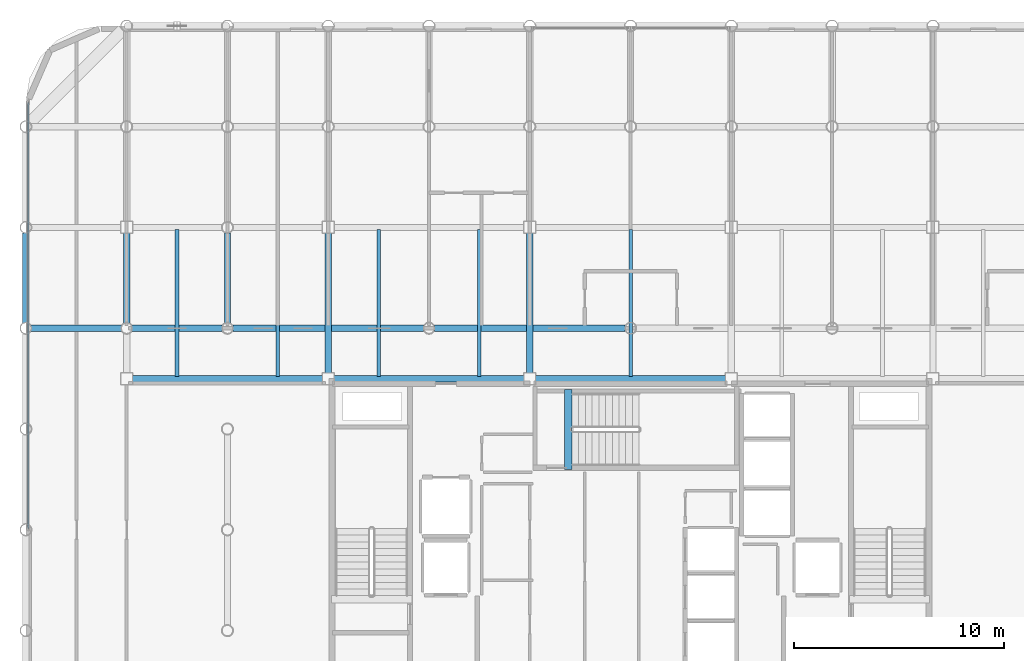
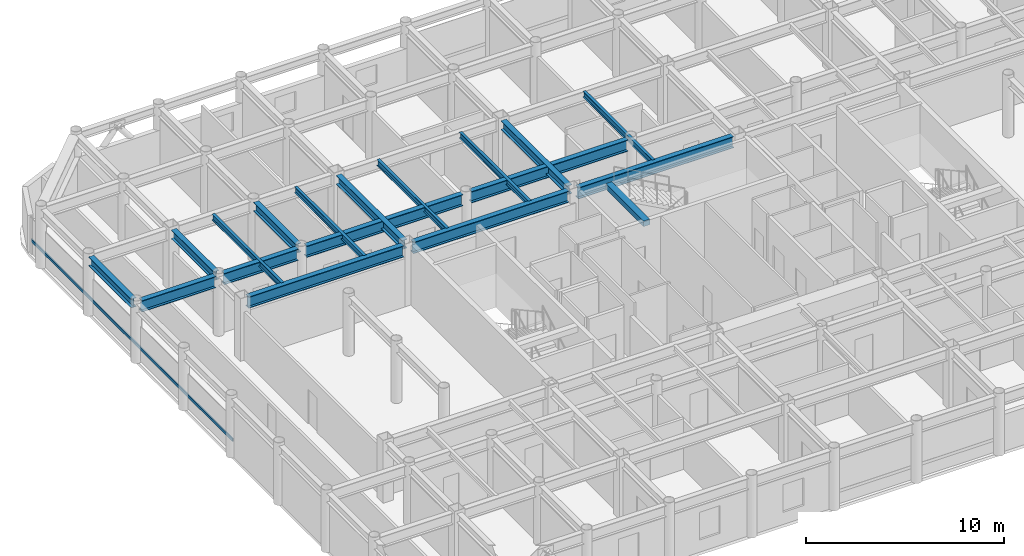
# One storey, part 7 of 23: 18 beams, 1 member, 1 element without a shape of its own.
"""IFC4 building model written with IfcOpenShell, lengths in metres."""

from ifc_helpers import new_model, si_unit, direction, frame, origin, origin_2d, place, context, subcontext, project, spatial, rectangle, hollow_rectangle, i_section, extrude, material, layer, layer_set, material_profile, profile_set, type_object, element, aggregate, save


model = new_model("IFC4")

# Units and contexts
model_context = context("Model", 3, precision=1e-05, world=origin(), true_north=direction((0.0, 1.0)))
body_context = subcontext(model_context, "Body", "Model", "MODEL_VIEW")
ifc_project = project(units=[si_unit("LENGTHUNIT", "METRE"), si_unit("AREAUNIT", "SQUARE_METRE"), si_unit("VOLUMEUNIT", "CUBIC_METRE"), si_unit("PLANEANGLEUNIT", "RADIAN"), si_unit("MASSUNIT", "GRAM", prefix="KILO")], contexts=[model_context])

# Site, building, storey
site_placement = place(None, origin())
site = spatial("IfcSite", under=ifc_project, at=site_placement, CompositionType="ELEMENT")
building_placement = place(site_placement, origin())
building = spatial("IfcBuilding", under=site, at=building_placement, Name="Kallvorn Hotel Tower", CompositionType="ELEMENT")
storey_placement = place(building_placement, frame((0.0, 0.0, 237.699951171875)))
storey = spatial("IfcBuildingStorey", under=building, at=storey_placement, Name="L59", CompositionType="ELEMENT", Elevation=237.699951171875)

# Beams
ifc_material_1 = material(Name="Structural steel S355JR", Category="steel")
ifc_material_profile_1 = material_profile(ifc_material_1, i_section(OverallWidth=0.300048828125, OverallDepth=0.550048828125, WebThickness=0.014892578125, FlangeThickness=0.029052734375, at=origin_2d()), Name="HE 550 B")
ifc_profile_set_1 = profile_set([ifc_material_profile_1], Name="Structural steel S355JR")
beam_type_1 = type_object("IfcBeamType", Name="BM_HE550B", PredefinedType="SPANDREL", material=ifc_profile_set_1)
beam_1_placement = place(storey_placement, frame((-28.800048828125, 9.8544921875, 3.39501953125), z_axis=(0.0, 1.0, 0.0), x_axis=(-1.0, 0.0, 0.0)))
element("IfcBeam", 1, at=beam_1_placement, inside=storey, type_object=beam_type_1, Name="L60 Primary Y-Girder 79", PredefinedType="SPANDREL", context=body_context, shape_type="SweptSolid", body=[
    extrude(i_section(OverallWidth=0.300048828125, OverallDepth=0.550048828125, WebThickness=0.014892578125, FlangeThickness=0.029052734375, at=origin_2d()), origin(), (0.0, 0.0, 1.0), 4.291015625),
])
beam_2_placement = place(storey_placement, frame((-24.0, 9.8544921875, 3.39501953125), z_axis=(0.0, 1.0, 0.0), x_axis=(-1.0, 0.0, 0.0)))
element("IfcBeam", 2, at=beam_2_placement, inside=storey, type_object=beam_type_1, Name="L60 Primary Y-Girder 85", PredefinedType="SPANDREL", context=body_context, shape_type="SweptSolid", body=[
    extrude(i_section(OverallWidth=0.300048828125, OverallDepth=0.550048828125, WebThickness=0.014892578125, FlangeThickness=0.029052734375, at=origin_2d()), origin(), (0.0, 0.0, 1.0), 4.2705078125),
])
beam_3_placement = place(storey_placement, frame((-19.199951171875, 9.8544921875, 3.39501953125), z_axis=(0.0, 1.0, 0.0), x_axis=(-1.0, 0.0, 0.0)))
element("IfcBeam", 3, at=beam_3_placement, inside=storey, type_object=beam_type_1, Name="L60 Primary Y-Girder 94", PredefinedType="SPANDREL", context=body_context, shape_type="SweptSolid", body=[
    extrude(i_section(OverallWidth=0.300048828125, OverallDepth=0.550048828125, WebThickness=0.014892578125, FlangeThickness=0.029052734375, at=origin_2d()), origin(), (0.0, 0.0, 1.0), 4.291015625),
])
for number, where, z_axis, x_axis, name in (
    (4, (-14.39990234375, 7.47509765625, 3.39501953125), (0.0, 1.0, 0.0), (-1.0, 0.0, 0.0), "L60 Primary Y-Girder 99"),
    (5, (-4.800048828125, 7.47509765625, 3.39501953125), (0.0, 1.0, 0.0), (-1.0, 0.0, 0.0), "L60 Primary Y-Girder 107"),
):
    element("IfcBeam", number, at=place(storey_placement, frame(where, z_axis=z_axis, x_axis=x_axis)), inside=storey, type_object=beam_type_1, Name=name, PredefinedType="SPANDREL", context=body_context, shape_type="SweptSolid", body=[
        extrude(i_section(OverallWidth=0.300048828125, OverallDepth=0.550048828125, WebThickness=0.014892578125, FlangeThickness=0.029052734375, at=origin_2d()), origin(), (0.0, 0.0, 1.0), 6.64990234375),
    ])
ifc_material_2 = material(Name="Structural steel S355JR", Category="steel")
ifc_material_profile_2 = material_profile(ifc_material_2, i_section(OverallWidth=0.300048828125, OverallDepth=0.699951171875, WebThickness=0.01708984375, FlangeThickness=0.031982421875, at=origin_2d()), Name="HE 700 B")
ifc_profile_set_2 = profile_set([ifc_material_profile_2], Name="Structural steel S355JR")
beam_type_2 = type_object("IfcBeamType", Name="BM_HE700B", PredefinedType="BEAM", material=ifc_profile_set_2)
for number, where, z_axis, x_axis, name in (
    (6, (-23.72509765625, 7.199951171875, 3.320068359375), (1.0, 0.0, 0.0), (0.0, 1.0, 0.0), "L60 Primary X-Girder 36"),
    (7, (-14.125, 7.199951171875, 3.320068359375), (1.0, 0.0, 0.0), (0.0, 1.0, 0.0), "L60 Primary X-Girder 37"),
):
    element("IfcBeam", number, at=place(storey_placement, frame(where, z_axis=z_axis, x_axis=x_axis)), inside=storey, type_object=beam_type_2, Name=name, PredefinedType="BEAM", context=body_context, shape_type="SweptSolid", body=[
        extrude(i_section(OverallWidth=0.300048828125, OverallDepth=0.699951171875, WebThickness=0.01708984375, FlangeThickness=0.031982421875, at=origin_2d()), origin(), (0.0, 0.0, 1.0), 9.050048828125),
    ])
beam_4_placement = place(storey_placement, frame((-4.52490234375, 7.199951171875, 3.320068359375), z_axis=(1.0, 0.0, 0.0), x_axis=(0.0, 1.0, 0.0)))
element("IfcBeam", 8, at=beam_4_placement, inside=storey, type_object=beam_type_2, Name="L60 Primary X-Girder 38", PredefinedType="BEAM", context=body_context, shape_type="SweptSolid", body=[
    extrude(i_section(OverallWidth=0.300048828125, OverallDepth=0.699951171875, WebThickness=0.01708984375, FlangeThickness=0.031982421875, at=origin_2d()), origin(), (0.0, 0.0, 1.0), 9.0498046875),
])
for number, where, z_axis, x_axis, name in (
    (9, (-28.54541015625, 9.60009765625, 3.320068359375), (1.0, 0.0, 0.0), (0.0, 1.0, 0.0), "L60 Primary X-Girder 41"),
    (10, (-23.74560546875, 9.60009765625, 3.320068359375), (1.0, 0.0, 0.0), (0.0, 1.0, 0.0), "L60 Primary X-Girder 42"),
):
    element("IfcBeam", number, at=place(storey_placement, frame(where, z_axis=z_axis, x_axis=x_axis)), inside=storey, type_object=beam_type_2, Name=name, PredefinedType="BEAM", context=body_context, shape_type="SweptSolid", body=[
        extrude(i_section(OverallWidth=0.300048828125, OverallDepth=0.699951171875, WebThickness=0.01708984375, FlangeThickness=0.031982421875, at=origin_2d()), origin(), (0.0, 0.0, 1.0), 4.291015625),
    ])
for number, where, z_axis, x_axis, name in (
    (11, (-18.945556640625, 9.60009765625, 3.320068359375), (1.0, 0.0, 0.0), (0.0, 1.0, 0.0), "L60 Primary X-Girder 43"),
    (12, (-9.345458984375, 9.60009765625, 3.320068359375), (1.0, 0.0, 0.0), (0.0, 1.0, 0.0), "L60 Primary X-Girder 44"),
):
    element("IfcBeam", number, at=place(storey_placement, frame(where, z_axis=z_axis, x_axis=x_axis)), inside=storey, type_object=beam_type_2, Name=name, PredefinedType="BEAM", context=body_context, shape_type="SweptSolid", body=[
        extrude(i_section(OverallWidth=0.300048828125, OverallDepth=0.699951171875, WebThickness=0.01708984375, FlangeThickness=0.031982421875, at=origin_2d()), origin(), (0.0, 0.0, 1.0), 9.091064453125),
    ])
ifc_material_3 = material(Name="Structural steel S355JR", Category="steel")
ifc_material_profile_3 = material_profile(ifc_material_3, i_section(OverallWidth=0.169921875, OverallDepth=0.360107421875, WebThickness=0.008056640625, FlangeThickness=0.0126953125, at=origin_2d()), Name="IPE 360")
ifc_profile_set_3 = profile_set([ifc_material_profile_3], Name="Structural steel S355JR")
beam_type_3 = type_object("IfcBeamType", Name="BM_IPE360", PredefinedType="JOIST", material=ifc_profile_set_3)
for number, where, z_axis, x_axis, name in (
    (13, (-21.60009765625, 7.300048828125, 3.489990234375), (0.0, 1.0, 0.0), (-1.0, 0.0, 0.0), "L60 Secondary Composite Joist 193"),
    (14, (-16.800048828125, 7.300048828125, 3.489990234375), (0.0, 1.0, 0.0), (-1.0, 0.0, 0.0), "L60 Secondary Composite Joist 195"),
    (15, (-12.0, 7.300048828125, 3.489990234375), (0.0, 1.0, 0.0), (-1.0, 0.0, 0.0), "L60 Secondary Composite Joist 197"),
    (16, (-7.199951171875, 7.300048828125, 3.489990234375), (0.0, 1.0, 0.0), (-1.0, 0.0, 0.0), "L60 Secondary Composite Joist 199"),
    (17, (0.0, 7.300048828125, 3.489990234375), (0.0, 1.0, 0.0), (-1.0, 0.0, 0.0), "L60 Secondary Composite Joist 201"),
):
    element("IfcBeam", number, at=place(storey_placement, frame(where, z_axis=z_axis, x_axis=x_axis)), inside=storey, type_object=beam_type_3, Name=name, PredefinedType="JOIST", context=body_context, shape_type="SweptSolid", body=[
        extrude(i_section(OverallWidth=0.169921875, OverallDepth=0.360107421875, WebThickness=0.008056640625, FlangeThickness=0.0126953125, at=origin_2d()), origin(), (0.0, 0.0, 1.0), 7.0),
    ])
ifc_material_4 = material(Name="Concrete C50/60", Category="concrete")
ifc_material_profile_4 = material_profile(ifc_material_4, rectangle(XDim=0.360107421875, YDim=0.340087890625, at=origin_2d()), Name="RC 360x340")
ifc_profile_set_4 = profile_set([ifc_material_profile_4], Name="Concrete C50/60")
beam_type_4 = type_object("IfcBeamType", Name="BM_RC_400x360", PredefinedType="BEAM", material=ifc_profile_set_4)
beam_5_placement = place(storey_placement, frame((-2.9599609375, 2.8701171875, 3.5), z_axis=(0.0, 1.0, 0.0), x_axis=(-1.0, 0.0, 0.0)))
element("IfcBeam", 18, at=beam_5_placement, inside=storey, type_object=beam_type_4, Name="L60 Stair ST3 Arrival Trimmer Beam", PredefinedType="BEAM", context=body_context, shape_type="SweptSolid", body=[
    extrude(rectangle(XDim=0.360107421875, YDim=0.340087890625, at=origin_2d()), origin(), (0.0, 0.0, 1.0), 3.81982421875),
])

# Curtain wall, member
ifc_material_5 = material(Name="Thermally broken black-anodised aluminium AA 6063-T6", Category="aluminium")
ifc_layer = layer(ifc_material_5, 0.22998046875)
ifc_layer_set = layer_set([ifc_layer], Name="CW_SYS_5_HOTEL_HIGH")
curtain_wall_type = type_object("IfcCurtainWallType", Name="CW_SYS_5_HOTEL_HIGH", PredefinedType="USERDEFINED", material=ifc_layer_set)
curtain_wall_placement = place(storey_placement, origin())
curtain_wall = element("IfcCurtainWall", 19, at=curtain_wall_placement, inside=storey, type_object=curtain_wall_type, Name="L59 Dark-Glass Curtain Wall CW-L59-WN", ObjectType="UNITISED CURTAIN WALL", PredefinedType="USERDEFINED")
ifc_material_6 = material(Name="Thermally broken black-anodised aluminium AA 6063-T6", Category="aluminium")
ifc_material_profile_5 = material_profile(ifc_material_6, hollow_rectangle(XDim=0.070068359375, YDim=0.179931640625, WallThickness=0.00390625, at=origin_2d()), Name="TRN 180x70")
ifc_profile_set_5 = profile_set([ifc_material_profile_5], Name="Thermally broken black-anodised aluminium AA 6063-T6")
member_type = type_object("IfcMemberType", Name="CW_TRANSOM_180x70", PredefinedType="USERDEFINED", material=ifc_profile_set_5)
member_placement = place(storey_placement, frame((-28.679931640625, 0.06005859375, 0.85009765625), z_axis=(0.0, 1.0, 0.0), x_axis=(-1.0, 0.0, 0.0)))
member = element("IfcMember", 20, at=member_placement, type_object=member_type, Name="CW-L59-WN Transom 00M", ObjectType="TRANSOM", PredefinedType="USERDEFINED", context=body_context, shape_type="SweptSolid", body=[
    extrude(hollow_rectangle(XDim=0.070068359375, YDim=0.179931640625, WallThickness=0.00390625, at=origin_2d()), origin(), (0.0, 0.0, 1.0), 20.300048828125),
])
aggregate(curtain_wall, [member])

save(model, "model.ifc")
